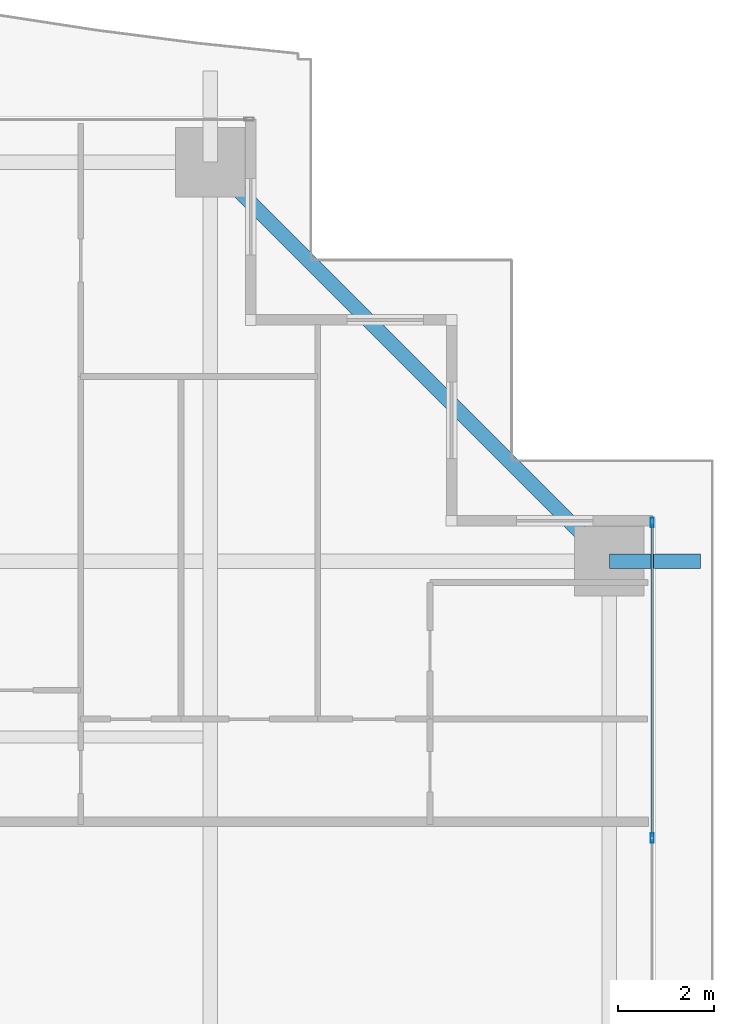
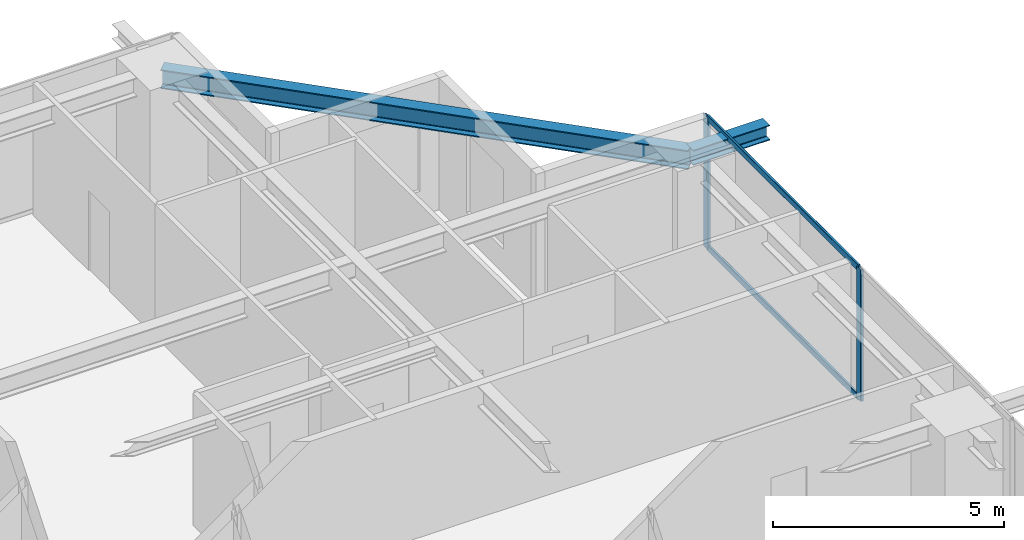
# One storey, part 19 of 34: 4 members, 2 beams, 1 element without a shape of its own.
"""IFC4 building model written with IfcOpenShell, lengths in metres."""

from ifc_helpers import new_model, si_unit, direction, frame, origin, origin_2d, place, context, subcontext, project, spatial, hollow_rectangle, i_section, extrude, source, transform, mapped, material, layer, layer_set, material_profile, profile_set, type_object, element, aggregate, save


model = new_model("IFC4")

# Units and contexts
model_context = context("Model", 3, precision=1e-05, world=origin(), true_north=direction((0.0, 1.0)))
body_context = subcontext(model_context, "Body", "Model", "MODEL_VIEW")
ifc_project = project(units=[si_unit("LENGTHUNIT", "METRE"), si_unit("AREAUNIT", "SQUARE_METRE"), si_unit("VOLUMEUNIT", "CUBIC_METRE"), si_unit("PLANEANGLEUNIT", "RADIAN"), si_unit("MASSUNIT", "GRAM", prefix="KILO")], contexts=[model_context])

# Site, building, storey
site_placement = place(None, origin())
site = spatial("IfcSite", under=ifc_project, at=site_placement, CompositionType="ELEMENT")
building_placement = place(site_placement, origin())
building = spatial("IfcBuilding", under=site, at=building_placement, Name="Serunith Strait Residences", CompositionType="ELEMENT")
storey_placement = place(building_placement, frame((0.0, 0.0, 101.699951171875)))
storey = spatial("IfcBuildingStorey", under=building, at=storey_placement, Name="L25", CompositionType="ELEMENT", Elevation=101.699951171875)

# Beams
ifc_material_1 = material(Name="Steel S355J2", Category="steel")
ifc_material_profile_1 = material_profile(ifc_material_1, i_section(OverallWidth=0.300048828125, OverallDepth=0.5, WebThickness=0.014404296875, FlangeThickness=0.028076171875, FilletRadius=0.027099609375, at=origin_2d()), Name="HEB 500")
ifc_profile_set_1 = profile_set([ifc_material_profile_1], Name="Steel S355J2")
beam_type_1 = type_object("IfcBeamType", Name="BM-HEB500", PredefinedType="BEAM", material=ifc_profile_set_1)
shared_shape_1 = source(origin(), body_context, "Body", "SweptSolid", [
    extrude(i_section(OverallWidth=0.300048828125, OverallDepth=0.5, WebThickness=0.014404296875, FlangeThickness=0.028076171875, FilletRadius=0.027099609375, at=origin_2d()), origin(), (0.0, 0.0, 1.0), 11.80859375),
])
beam_1_placement = place(storey_placement, frame((57.89990234375, 40.949951171875, 3.20703125), z_axis=(-0.707096443746, 0.707117118476, 0.0), x_axis=(-0.707117118476, -0.707096443746, 0.0)))
element("IfcBeam", 1, at=beam_1_placement, inside=storey, type_object=beam_type_1, Name="L25 Perimeter Ring Beam 08", PredefinedType="BEAM", context=body_context, shape_type="MappedRepresentation", body=[
    mapped(shared_shape_1, transform((0.0, 0.0, 0.0), scale=1.0)),
])
ifc_material_profile_2 = material_profile(ifc_material_1, i_section(OverallWidth=0.300048828125, OverallDepth=0.39990234375, WebThickness=0.013427734375, FlangeThickness=0.02392578125, FilletRadius=0.027099609375, at=origin_2d()), Name="HEB 400")
ifc_profile_set_2 = profile_set([ifc_material_profile_2], Name="Steel S355J2")
beam_type_2 = type_object("IfcBeamType", Name="BM-HEB400", PredefinedType="BEAM", material=ifc_profile_set_2)
shared_shape_2 = source(origin(), body_context, "Body", "SweptSolid", [
    extrude(i_section(OverallWidth=0.300048828125, OverallDepth=0.39990234375, WebThickness=0.013427734375, FlangeThickness=0.02392578125, FilletRadius=0.027099609375, at=origin_2d()), origin(), (0.0, 0.0, 1.0), 1.91015625),
])
beam_2_placement = place(storey_placement, frame((57.89990234375, 40.949951171875, 3.257080078125), z_axis=(1.0, 0.0, 0.0), x_axis=(0.0, 1.0, 0.0)))
element("IfcBeam", 2, at=beam_2_placement, inside=storey, type_object=beam_type_2, Name="L26 Cantilevered Balcony Rib TC-E4", PredefinedType="BEAM", context=body_context, shape_type="MappedRepresentation", body=[
    mapped(shared_shape_2, transform((0.0, 0.0, 0.0), scale=1.0)),
])

# Curtain wall, members
ifc_material_2 = material(Name="Pale-Champagne Anodised Aluminium", Category="aluminium")
ifc_layer = layer(ifc_material_2, 0.199951171875, Name="Pale-Champagne Anodised Aluminium")
ifc_layer_set = layer_set([ifc_layer], Name="Pale-Champagne Anodised Aluminium")
curtain_wall_type = type_object("IfcCurtainWallType", Name="CW-SYS1", PredefinedType="NOTDEFINED", material=ifc_layer_set)
curtain_wall_placement = place(storey_placement, origin())
curtain_wall = element("IfcCurtainWall", 3, at=curtain_wall_placement, inside=storey, type_object=curtain_wall_type, Name="L25 E Unitised Fritted Curtain Wall", PredefinedType="NOTDEFINED")
ifc_material_profile_3 = material_profile(ifc_material_2, hollow_rectangle(XDim=0.070068359375, YDim=0.199951171875, WallThickness=0.00390625, InnerFilletRadius=0.006103515625, OuterFilletRadius=0.010009765625, at=origin_2d()), Name="ALU 200x70x4")
ifc_profile_set_3 = profile_set([ifc_material_profile_3], Name="Pale-Champagne Anodised Aluminium")
member_type_1 = type_object("IfcMemberType", Name="CW-SYS1-MULL", PredefinedType="MULLION", material=ifc_profile_set_3)
shared_shape_3 = source(origin(), body_context, "Body", "SweptSolid", [
    extrude(hollow_rectangle(XDim=0.070068359375, YDim=0.199951171875, WallThickness=0.00390625, InnerFilletRadius=0.006103515625, OuterFilletRadius=0.010009765625, at=origin_2d()), origin(), (0.0, 0.0, 1.0), 3.47509765625),
])
member_1_placement = place(storey_placement, frame((58.800048828125, 35.159912109375, 0.0), z_axis=(0.0, 0.0, 1.0), x_axis=(-1.0, 0.0, 0.0)))
member_1 = element("IfcMember", 4, at=member_1_placement, type_object=member_type_1, Name="CW-1 mullion 5", PredefinedType="MULLION", context=body_context, shape_type="MappedRepresentation", body=[
    mapped(shared_shape_3, transform((0.0, 0.0, 0.0), scale=1.0)),
])
member_2_placement = place(storey_placement, frame((58.800048828125, 41.764892578125, 0.0), z_axis=(0.0, 0.0, 1.0), x_axis=(-1.0, 0.0, 0.0)))
member_2 = element("IfcMember", 5, at=member_2_placement, type_object=member_type_1, Name="CW-1 mullion 6", PredefinedType="MULLION", context=body_context, shape_type="MappedRepresentation", body=[
    mapped(shared_shape_3, transform((0.0, 0.0, 0.0), scale=1.0)),
])
ifc_material_profile_4 = material_profile(ifc_material_2, hollow_rectangle(XDim=0.06005859375, YDim=0.159912109375, WallThickness=0.00341796875, InnerFilletRadius=0.00537109375, OuterFilletRadius=0.0087890625, at=origin_2d()), Name="ALU 160x60x3.5")
ifc_profile_set_4 = profile_set([ifc_material_profile_4], Name="Pale-Champagne Anodised Aluminium")
member_type_2 = type_object("IfcMemberType", Name="CW-SYS1-TRAN", PredefinedType="USERDEFINED", material=ifc_profile_set_4)
shared_shape_4 = source(origin(), body_context, "Body", "SweptSolid", [
    extrude(hollow_rectangle(XDim=0.06005859375, YDim=0.159912109375, WallThickness=0.00341796875, InnerFilletRadius=0.00537109375, OuterFilletRadius=0.0087890625, at=origin_2d()), origin(), (0.0, 0.0, 1.0), 6.534912109375),
])
member_3_placement = place(storey_placement, frame((58.800048828125, 35.195068359375, 0.030029296875), z_axis=(0.0, 1.0, 0.0), x_axis=(-1.0, 0.0, 0.0)))
member_3 = element("IfcMember", 6, at=member_3_placement, type_object=member_type_2, Name="CW-1 transom 5.1", ObjectType="TRANSOM", PredefinedType="USERDEFINED", context=body_context, shape_type="MappedRepresentation", body=[
    mapped(shared_shape_4, transform((0.0, 0.0, 0.0), scale=1.0)),
])
member_4_placement = place(storey_placement, frame((58.800048828125, 35.195068359375, 3.445068359375), z_axis=(0.0, 1.0, 0.0), x_axis=(-1.0, 0.0, 0.0)))
member_4 = element("IfcMember", 7, at=member_4_placement, type_object=member_type_2, Name="CW-1 transom 5.2", ObjectType="TRANSOM", PredefinedType="USERDEFINED", context=body_context, shape_type="MappedRepresentation", body=[
    mapped(shared_shape_4, transform((0.0, 0.0, 0.0), scale=1.0)),
])
aggregate(curtain_wall, [member_1, member_2, member_3, member_4])

save(model, "model.ifc")
